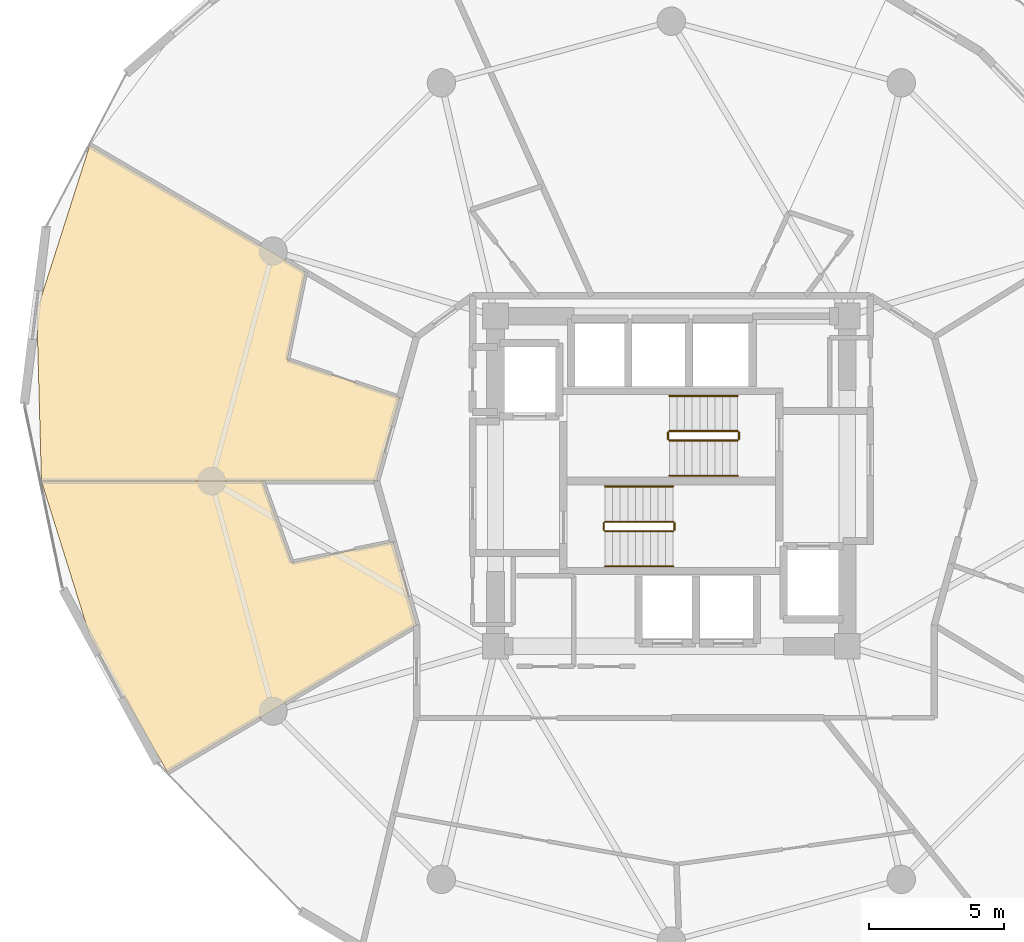
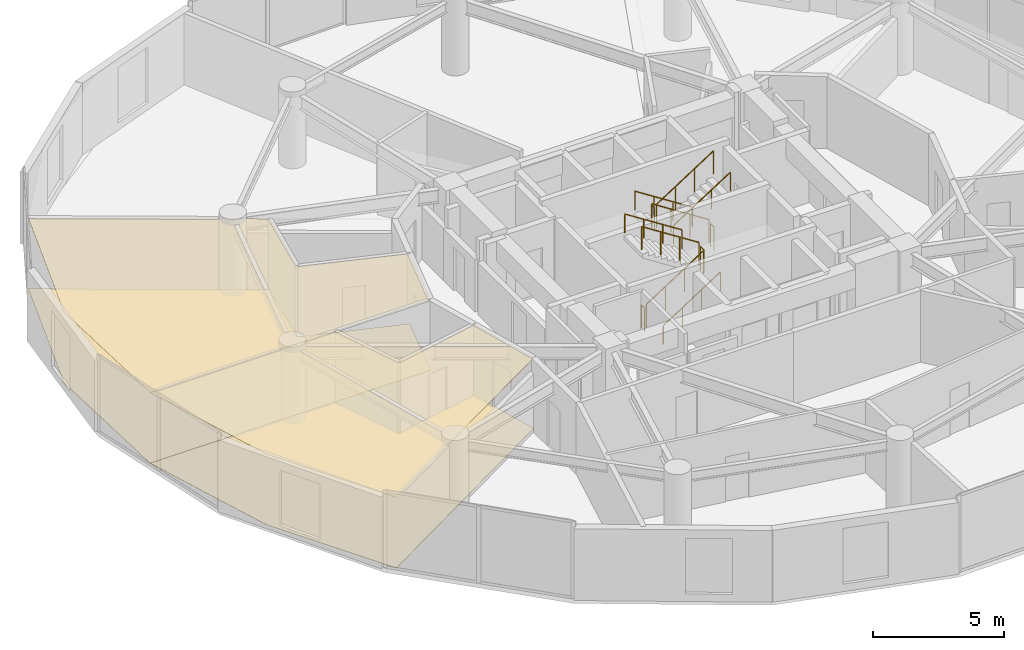
# One storey, part 24 of 25: 12 railings, 4 coverings.
"""IFC4 building model written with IfcOpenShell, lengths in metres."""

from ifc_helpers import new_model, si_unit, direction, frame, origin, origin_2d, place, context, subcontext, project, spatial, polyline, circle, outline, extrude, material, layer, layer_set, type_object, element, save


model = new_model("IFC4")

# Units and contexts
model_context = context("Model", 3, precision=1e-05, world=origin(), true_north=direction((0.0, 1.0)))
body_context = subcontext(model_context, "Body", "Model", "MODEL_VIEW")
ifc_project = project(units=[si_unit("LENGTHUNIT", "METRE"), si_unit("AREAUNIT", "SQUARE_METRE"), si_unit("VOLUMEUNIT", "CUBIC_METRE"), si_unit("PLANEANGLEUNIT", "RADIAN"), si_unit("MASSUNIT", "GRAM", prefix="KILO")], contexts=[model_context])

# Site, building, storey
site_placement = place(None, origin())
site = spatial("IfcSite", under=ifc_project, at=site_placement, CompositionType="ELEMENT")
building_placement = place(site_placement, origin())
building = spatial("IfcBuilding", under=site, at=building_placement, Name="Solvirekh Grand Hotel", CompositionType="ELEMENT")
storey_placement = place(building_placement, frame((0.0, 0.0, 127.800048828125)))
storey = spatial("IfcBuildingStorey", under=building, at=storey_placement, Name="L32", CompositionType="ELEMENT", Elevation=127.800048828125)

# Coverings
ifc_material_1 = material(Name="Acoustic Mineral Ceiling Tile")
ifc_layer_1 = layer(ifc_material_1, 0.02490234375)
ifc_layer_set_1 = layer_set([ifc_layer_1], Name="Acoustic Mineral Ceiling Tile")
covering_type_1 = type_object("IfcCoveringType", Name="Cov_Ceiling_Acoustic", PredefinedType="CEILING", material=ifc_layer_set_1)
covering_1_placement = place(storey_placement, frame((0.0, 0.0, 3.300048828125)))
element("IfcCovering", 1, at=covering_1_placement, inside=storey, type_object=covering_type_1, Name="L32 Deluxe Guestroom 3403 acoustic ceiling", PredefinedType="CEILING", context=body_context, shape_type="SweptSolid", body=[
    extrude(outline(polyline([(-14.19189453125, 4.486083984375), (-13.527099609375, 7.735107421875), (-21.4990234375, 12.412109375), (-23.45703125, 6.284912109375), (-23.284912109375, 0.0), (-10.89990234375, 0.0), (-10.0419921875, 3.089111328125), (-14.19189453125, 4.486083984375)])), origin(), (0.0, 0.0, 1.0), 0.017822265625),
])
covering_2_placement = place(storey_placement, frame((0.0, 0.0, 3.300048828125)))
element("IfcCovering", 2, at=covering_2_placement, inside=storey, type_object=covering_type_1, Name="L32 Deluxe Guestroom 3404 acoustic ceiling", PredefinedType="CEILING", context=body_context, shape_type="SweptSolid", body=[
    extrude(outline(polyline([(-14.034912109375, -3.011962890625), (-15.111083984375, 0.0), (-23.284912109375, 0.0), (-21.488037109375, -5.758056640625), (-18.6259765625, -10.75390625), (-9.419921875, -5.324951171875), (-10.278076171875, -2.236083984375), (-14.034912109375, -3.011962890625)])), origin(), (0.0, 0.0, 1.0), 0.017822265625),
])
ifc_material_2 = material(Name="Porcelain Stoneware Flooring", Category="masonry")
ifc_layer_2 = layer(ifc_material_2, 0.030029296875)
ifc_layer_set_2 = layer_set([ifc_layer_2], Name="Porcelain Stoneware Flooring")
covering_type_2 = type_object("IfcCoveringType", Name="Cov_Floor_Stone", PredefinedType="FLOORING", material=ifc_layer_set_2)
covering_3_placement = place(storey_placement, origin())
element("IfcCovering", 3, at=covering_3_placement, inside=storey, type_object=covering_type_2, Name="L32 Deluxe Guestroom 3403 polished granite flooring", PredefinedType="FLOORING", context=body_context, shape_type="SweptSolid", body=[
    extrude(outline(polyline([(-14.19189453125, 4.486083984375), (-13.527099609375, 7.735107421875), (-21.4990234375, 12.412109375), (-23.45703125, 6.284912109375), (-23.284912109375, 0.0), (-10.89990234375, 0.0), (-10.0419921875, 3.089111328125), (-14.19189453125, 4.486083984375)])), origin(), (0.0, 0.0, 1.0), 0.02001953125),
])
covering_4_placement = place(storey_placement, origin())
element("IfcCovering", 4, at=covering_4_placement, inside=storey, type_object=covering_type_2, Name="L32 Deluxe Guestroom 3404 polished granite flooring", PredefinedType="FLOORING", context=body_context, shape_type="SweptSolid", body=[
    extrude(outline(polyline([(-14.034912109375, -3.011962890625), (-15.111083984375, 0.0), (-23.284912109375, 0.0), (-21.488037109375, -5.758056640625), (-18.6259765625, -10.75390625), (-9.419921875, -5.324951171875), (-10.278076171875, -2.236083984375), (-14.034912109375, -3.011962890625)])), origin(), (0.0, 0.0, 1.0), 0.02001953125),
])

# Railings
ifc_material_3 = material(Name="Steel S355", Category="steel")
railing_type_1 = type_object("IfcRailingType", Name="Guard_Stair_1100", PredefinedType="GUARDRAIL", material=ifc_material_3)
railing_1_placement = place(storey_placement, frame((-2.449951171875, -1.85009765625, 0.179931640625)))
element("IfcRailing", 5, at=railing_1_placement, inside=storey, type_object=railing_type_1, Name="L32 ST-1 stair guard 1", PredefinedType="GUARDRAIL", context=body_context, shape_type="SweptSolid", body=[
    extrude(circle(Radius=0.02392578125, at=origin_2d()), frame((0.0, 0.0, 1.076171875), z_axis=(0.841162588446, 0.0, 0.540782303519), x_axis=(0.0, 1.0, 0.0)), (0.0, 0.0, 1.0), 2.995849609375),
    extrude(circle(Radius=0.02099609375, at=origin_2d()), origin(), (0.0, 0.0, 1.0), 1.052001953125),
    extrude(circle(Radius=0.02099609375, at=origin_2d()), frame((0.840087890625, 0.0, 0.5400390625)), (0.0, 0.0, 1.0), 1.052001953125),
    extrude(circle(Radius=0.02099609375, at=origin_2d()), frame((1.679931640625, 0.0, 1.080078125)), (0.0, 0.0, 1.0), 1.052001953125),
    extrude(circle(Radius=0.02099609375, at=origin_2d()), frame((2.52001953125, 0.0, 1.6201171875)), (0.0, 0.0, 1.0), 1.052001953125),
])
railing_2_placement = place(storey_placement, frame((0.1201171875, -1.800048828125, 1.800048828125)))
element("IfcRailing", 6, at=railing_2_placement, inside=storey, type_object=railing_type_1, Name="L32 ST-1 stair guard 2", PredefinedType="GUARDRAIL", context=body_context, shape_type="SweptSolid", body=[
    extrude(circle(Radius=0.02392578125, at=origin_2d()), frame((0.0, 0.0, 1.076171875), z_axis=(0.0, 1.0, 0.0), x_axis=(-1.0, 0.0, 0.0)), (0.0, 0.0, 1.0), 0.25),
    extrude(circle(Radius=0.02099609375, at=origin_2d()), origin(), (0.0, 0.0, 1.0), 1.052001953125),
    extrude(circle(Radius=0.02099609375, at=origin_2d()), frame((0.0, 0.25, 0.0)), (0.0, 0.0, 1.0), 1.052001953125),
])
railing_3_placement = place(storey_placement, frame((0.070068359375, -1.5, 1.97998046875)))
element("IfcRailing", 7, at=railing_3_placement, inside=storey, type_object=railing_type_1, Name="L32 ST-1 stair guard 3", PredefinedType="GUARDRAIL", context=body_context, shape_type="SweptSolid", body=[
    extrude(circle(Radius=0.02392578125, at=origin_2d()), frame((0.0, 0.0, 1.076171875), z_axis=(-0.841199657755, 0.0, 0.540724639528), x_axis=(0.0, -1.0, 0.0)), (0.0, 0.0, 1.0), 2.995849609375),
    extrude(circle(Radius=0.02099609375, at=origin_2d()), origin(), (0.0, 0.0, 1.0), 1.052001953125),
    extrude(circle(Radius=0.02099609375, at=origin_2d()), frame((-0.840087890625, 0.0, 0.5400390625)), (0.0, 0.0, 1.0), 1.052001953125),
    extrude(circle(Radius=0.02099609375, at=origin_2d()), frame((-1.679931640625, 0.0, 1.079833984375)), (0.0, 0.0, 1.0), 1.052001953125),
    extrude(circle(Radius=0.02099609375, at=origin_2d()), frame((-2.52001953125, 0.0, 1.619873046875)), (0.0, 0.0, 1.0), 1.052001953125),
])
railing_4_placement = place(storey_placement, frame((-2.5, -1.800048828125, 0.0)))
element("IfcRailing", 8, at=railing_4_placement, inside=storey, type_object=railing_type_1, Name="L32 ST-1 stair guard 4", PredefinedType="GUARDRAIL", context=body_context, shape_type="SweptSolid", body=[
    extrude(circle(Radius=0.02392578125, at=origin_2d()), frame((0.0, 0.0, 1.076171875), z_axis=(0.0, 1.0, 0.0), x_axis=(-1.0, 0.0, 0.0)), (0.0, 0.0, 1.0), 0.25),
    extrude(circle(Radius=0.02099609375, at=origin_2d()), origin(), (0.0, 0.0, 1.0), 1.052001953125),
    extrude(circle(Radius=0.02099609375, at=origin_2d()), frame((0.0, 0.25, 0.0)), (0.0, 0.0, 1.0), 1.052001953125),
])
railing_5_placement = place(storey_placement, frame((2.449951171875, 1.85009765625, 0.179931640625)))
element("IfcRailing", 9, at=railing_5_placement, inside=storey, type_object=railing_type_1, Name="L32 ST-2 stair guard 1", PredefinedType="GUARDRAIL", context=body_context, shape_type="SweptSolid", body=[
    extrude(circle(Radius=0.02392578125, at=origin_2d()), frame((0.0, 0.0, 1.076171875), z_axis=(-0.841162588446, 0.0, 0.540782303519), x_axis=(0.0, -1.0, 0.0)), (0.0, 0.0, 1.0), 2.995849609375),
    extrude(circle(Radius=0.02099609375, at=origin_2d()), origin(), (0.0, 0.0, 1.0), 1.052001953125),
    extrude(circle(Radius=0.02099609375, at=origin_2d()), frame((-0.840087890625, 0.0, 0.5400390625)), (0.0, 0.0, 1.0), 1.052001953125),
    extrude(circle(Radius=0.02099609375, at=origin_2d()), frame((-1.679931640625, 0.0, 1.080078125)), (0.0, 0.0, 1.0), 1.052001953125),
    extrude(circle(Radius=0.02099609375, at=origin_2d()), frame((-2.52001953125, 0.0, 1.6201171875)), (0.0, 0.0, 1.0), 1.052001953125),
])
railing_6_placement = place(storey_placement, frame((-0.1201171875, 1.800048828125, 1.800048828125)))
element("IfcRailing", 10, at=railing_6_placement, inside=storey, type_object=railing_type_1, Name="L32 ST-2 stair guard 2", PredefinedType="GUARDRAIL", context=body_context, shape_type="SweptSolid", body=[
    extrude(circle(Radius=0.02392578125, at=origin_2d()), frame((0.0, 0.0, 1.076171875), z_axis=(0.0, -1.0, 0.0), x_axis=(1.0, 0.0, 0.0)), (0.0, 0.0, 1.0), 0.25),
    extrude(circle(Radius=0.02099609375, at=origin_2d()), origin(), (0.0, 0.0, 1.0), 1.052001953125),
    extrude(circle(Radius=0.02099609375, at=origin_2d()), frame((0.0, -0.25, 0.0)), (0.0, 0.0, 1.0), 1.052001953125),
])
railing_7_placement = place(storey_placement, frame((-0.070068359375, 1.5, 1.97998046875)))
element("IfcRailing", 11, at=railing_7_placement, inside=storey, type_object=railing_type_1, Name="L32 ST-2 stair guard 3", PredefinedType="GUARDRAIL", context=body_context, shape_type="SweptSolid", body=[
    extrude(circle(Radius=0.02392578125, at=origin_2d()), frame((0.0, 0.0, 1.076171875), z_axis=(0.841199657755, 0.0, 0.540724639528), x_axis=(0.0, 1.0, 0.0)), (0.0, 0.0, 1.0), 2.995849609375),
    extrude(circle(Radius=0.02099609375, at=origin_2d()), origin(), (0.0, 0.0, 1.0), 1.052001953125),
    extrude(circle(Radius=0.02099609375, at=origin_2d()), frame((0.840087890625, 0.0, 0.5400390625)), (0.0, 0.0, 1.0), 1.052001953125),
    extrude(circle(Radius=0.02099609375, at=origin_2d()), frame((1.679931640625, 0.0, 1.079833984375)), (0.0, 0.0, 1.0), 1.052001953125),
    extrude(circle(Radius=0.02099609375, at=origin_2d()), frame((2.52001953125, 0.0, 1.619873046875)), (0.0, 0.0, 1.0), 1.052001953125),
])
railing_8_placement = place(storey_placement, frame((2.5, 1.800048828125, 0.0)))
element("IfcRailing", 12, at=railing_8_placement, inside=storey, type_object=railing_type_1, Name="L32 ST-2 stair guard 4", PredefinedType="GUARDRAIL", context=body_context, shape_type="SweptSolid", body=[
    extrude(circle(Radius=0.02392578125, at=origin_2d()), frame((0.0, 0.0, 1.076171875), z_axis=(0.0, -1.0, 0.0), x_axis=(1.0, 0.0, 0.0)), (0.0, 0.0, 1.0), 0.25),
    extrude(circle(Radius=0.02099609375, at=origin_2d()), origin(), (0.0, 0.0, 1.0), 1.052001953125),
    extrude(circle(Radius=0.02099609375, at=origin_2d()), frame((0.0, -0.25, 0.0)), (0.0, 0.0, 1.0), 1.052001953125),
])
ifc_material_4 = material(Name="Anodized Bronze Aluminium 6063-T6", Category="aluminium")
railing_type_2 = type_object("IfcRailingType", Name="Handrail_Wall_900", PredefinedType="HANDRAIL", material=ifc_material_4)
railing_9_placement = place(storey_placement, frame((-2.449951171875, -3.14990234375, 0.179931640625)))
element("IfcRailing", 13, at=railing_9_placement, inside=storey, type_object=railing_type_2, Name="L32 ST-1 stair handrail 1", PredefinedType="HANDRAIL", context=body_context, shape_type="SweptSolid", body=[
    extrude(circle(Radius=0.02392578125, at=origin_2d()), frame((0.0, 0.0, 0.8759765625), z_axis=(0.841162588446, 0.0, 0.540782303519), x_axis=(0.0, 1.0, 0.0)), (0.0, 0.0, 1.0), 2.995849609375),
    extrude(circle(Radius=0.02099609375, at=origin_2d()), origin(), (0.0, 0.0, 1.0), 0.851806640625),
    extrude(circle(Radius=0.02099609375, at=origin_2d()), frame((0.840087890625, 0.0, 0.5400390625)), (0.0, 0.0, 1.0), 0.851806640625),
    extrude(circle(Radius=0.02099609375, at=origin_2d()), frame((1.679931640625, 0.0, 1.080078125)), (0.0, 0.0, 1.0), 0.851806640625),
    extrude(circle(Radius=0.02099609375, at=origin_2d()), frame((2.52001953125, 0.0, 1.6201171875)), (0.0, 0.0, 1.0), 0.851806640625),
])
railing_10_placement = place(storey_placement, frame((0.070068359375, -0.199951171875, 1.97998046875)))
element("IfcRailing", 14, at=railing_10_placement, inside=storey, type_object=railing_type_2, Name="L32 ST-1 stair handrail 2", PredefinedType="HANDRAIL", context=body_context, shape_type="SweptSolid", body=[
    extrude(circle(Radius=0.02392578125, at=origin_2d()), frame((0.0, 0.0, 0.8759765625), z_axis=(-0.841199657755, 0.0, 0.540724639528), x_axis=(0.0, -1.0, 0.0)), (0.0, 0.0, 1.0), 2.995849609375),
    extrude(circle(Radius=0.02099609375, at=origin_2d()), origin(), (0.0, 0.0, 1.0), 0.851806640625),
    extrude(circle(Radius=0.02099609375, at=origin_2d()), frame((-0.840087890625, 0.0, 0.5400390625)), (0.0, 0.0, 1.0), 0.851806640625),
    extrude(circle(Radius=0.02099609375, at=origin_2d()), frame((-1.679931640625, 0.0, 1.079833984375)), (0.0, 0.0, 1.0), 0.851806640625),
    extrude(circle(Radius=0.02099609375, at=origin_2d()), frame((-2.52001953125, 0.0, 1.619873046875)), (0.0, 0.0, 1.0), 0.851806640625),
])
railing_11_placement = place(storey_placement, frame((2.449951171875, 3.14990234375, 0.179931640625)))
element("IfcRailing", 15, at=railing_11_placement, inside=storey, type_object=railing_type_2, Name="L32 ST-2 stair handrail 1", PredefinedType="HANDRAIL", context=body_context, shape_type="SweptSolid", body=[
    extrude(circle(Radius=0.02392578125, at=origin_2d()), frame((0.0, 0.0, 0.8759765625), z_axis=(-0.841162588446, 0.0, 0.540782303519), x_axis=(0.0, -1.0, 0.0)), (0.0, 0.0, 1.0), 2.995849609375),
    extrude(circle(Radius=0.02099609375, at=origin_2d()), origin(), (0.0, 0.0, 1.0), 0.851806640625),
    extrude(circle(Radius=0.02099609375, at=origin_2d()), frame((-0.840087890625, 0.0, 0.5400390625)), (0.0, 0.0, 1.0), 0.851806640625),
    extrude(circle(Radius=0.02099609375, at=origin_2d()), frame((-1.679931640625, 0.0, 1.080078125)), (0.0, 0.0, 1.0), 0.851806640625),
    extrude(circle(Radius=0.02099609375, at=origin_2d()), frame((-2.52001953125, 0.0, 1.6201171875)), (0.0, 0.0, 1.0), 0.851806640625),
])
railing_12_placement = place(storey_placement, frame((-0.070068359375, 0.199951171875, 1.97998046875)))
element("IfcRailing", 16, at=railing_12_placement, inside=storey, type_object=railing_type_2, Name="L32 ST-2 stair handrail 2", PredefinedType="HANDRAIL", context=body_context, shape_type="SweptSolid", body=[
    extrude(circle(Radius=0.02392578125, at=origin_2d()), frame((0.0, 0.0, 0.8759765625), z_axis=(0.841199657755, 0.0, 0.540724639528), x_axis=(0.0, 1.0, 0.0)), (0.0, 0.0, 1.0), 2.995849609375),
    extrude(circle(Radius=0.02099609375, at=origin_2d()), origin(), (0.0, 0.0, 1.0), 0.851806640625),
    extrude(circle(Radius=0.02099609375, at=origin_2d()), frame((0.840087890625, 0.0, 0.5400390625)), (0.0, 0.0, 1.0), 0.851806640625),
    extrude(circle(Radius=0.02099609375, at=origin_2d()), frame((1.679931640625, 0.0, 1.079833984375)), (0.0, 0.0, 1.0), 0.851806640625),
    extrude(circle(Radius=0.02099609375, at=origin_2d()), frame((2.52001953125, 0.0, 1.619873046875)), (0.0, 0.0, 1.0), 0.851806640625),
])

save(model, "model.ifc")
